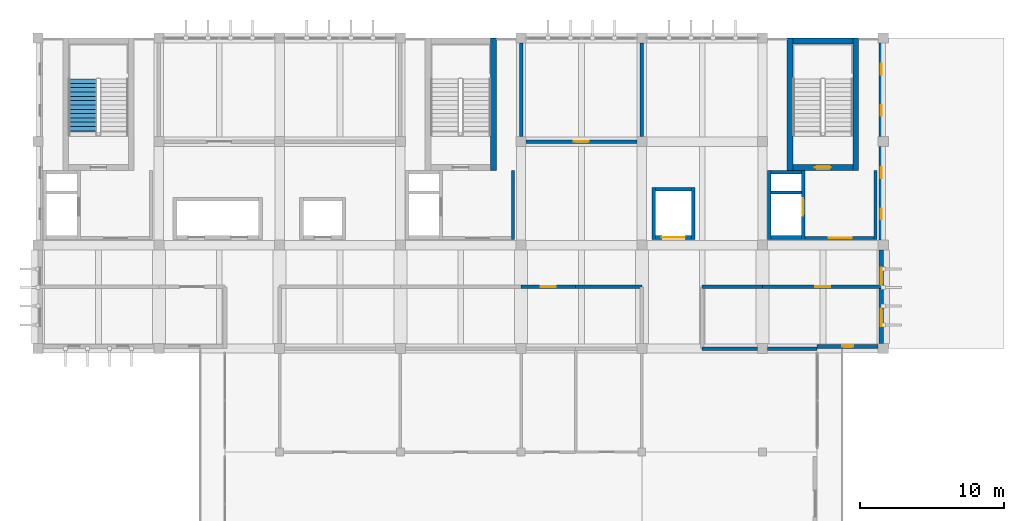
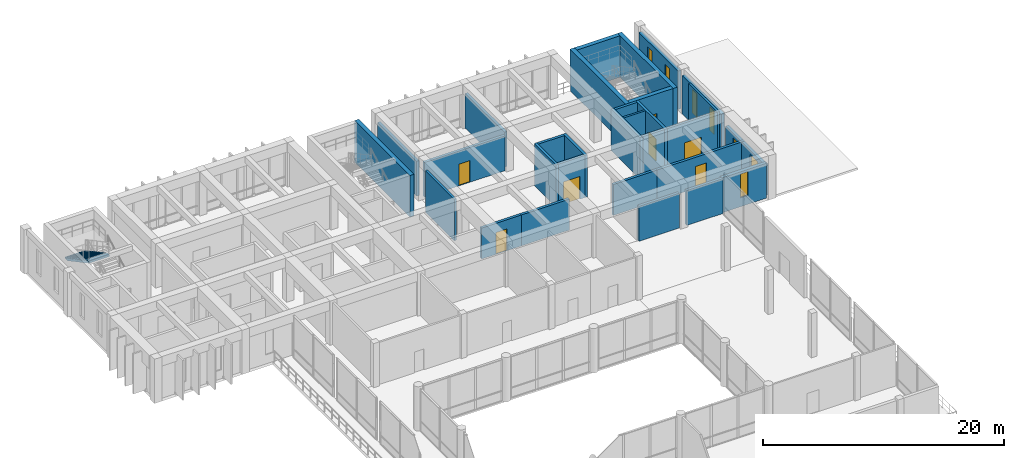
# One storey, part 13 of 17: 30 walls, 7 doors, 7 windows, 1 stair flight, 14 openings, 1 element without a shape of its own.
"""IFC4 building model written with IfcOpenShell, lengths in metres."""

from ifc_helpers import new_model, si_unit, direction, frame, frame_2d, origin, place, context, subcontext, project, spatial, polyline, rectangle, outline, extrude, material, layer, layer_set, type_object, element, fill, aggregate, save


model = new_model("IFC4")

# Units and contexts
model_context = context("Model", 3, precision=1e-05, world=origin(), true_north=direction((0.0, 1.0)))
body_context = subcontext(model_context, "Body", "Model", "MODEL_VIEW")
ifc_project = project(units=[si_unit("LENGTHUNIT", "METRE"), si_unit("AREAUNIT", "SQUARE_METRE"), si_unit("VOLUMEUNIT", "CUBIC_METRE"), si_unit("PLANEANGLEUNIT", "RADIAN"), si_unit("MASSUNIT", "GRAM", prefix="KILO")], contexts=[model_context])

# Site, building, storey
site_placement = place(None, origin())
site = spatial("IfcSite", under=ifc_project, at=site_placement, CompositionType="ELEMENT")
building_placement = place(site_placement, origin())
building = spatial("IfcBuilding", under=site, at=building_placement, Name="Kenerak Square Central Library", CompositionType="ELEMENT")
storey_placement = place(building_placement, frame((0.0, 0.0, 23.360107421875)))
storey = spatial("IfcBuildingStorey", under=building, at=storey_placement, Name="L05", CompositionType="ELEMENT", Elevation=23.360107421875)

# Wall, opening, door
ifc_material_1 = material(Name="Concrete C40/50", Category="concrete")
ifc_layer_1 = layer(ifc_material_1, 0.25)
ifc_layer_set_1 = layer_set([ifc_layer_1], Name="Concrete C40/50")
wall_type_1 = type_object("IfcWallType", Name="Archive Compartment Wall IW-250 C40/50", PredefinedType="SOLIDWALL", material=ifc_layer_set_1)
wall_1_placement = place(storey_placement, frame((92.0, 93.10009765625, 0.0), z_axis=(0.0, 0.0, 1.0), x_axis=(1.0, 0.0, 0.0)))
wall_1 = element("IfcWall", 1, at=wall_1_placement, inside=storey, type_object=wall_type_1, Name="Interior Wall IW-L05-05-N2-B3", PredefinedType="SOLIDWALL", context=body_context, shape_type="SweptSolid", body=[
    extrude(rectangle(XDim=3.800048828125, YDim=0.25, at=frame_2d((1.89990234375, 0.0))), origin(), (0.0, 0.0, 1.0), 3.1298828125),
])
opening_1_placement = place(wall_1_placement, frame((1.375, 0.0, 0.0)))
opening_1 = element("IfcOpeningElement", 2, at=opening_1_placement, cuts=wall_1, Name="Opening ID-04", PredefinedType="OPENING", context=body_context, shape_type="SweptSolid", body=[
    extrude(rectangle(XDim=1.050048828125, YDim=2.199951171875, at=frame_2d((0.52490234375, 1.10009765625))), frame((0.0, 0.135009765625, 0.0), z_axis=(0.0, -1.0, 0.0), x_axis=(1.0, 0.0, 0.0)), (0.0, 0.0, 1.0), 0.27001953125),
])
ifc_material_2 = material(Name="Steel S355", Category="steel")
door_type_1 = type_object("IfcDoorType", Name="Conservation Lab Door ID-1050x2200 FD60S", OperationType="NOTDEFINED", PredefinedType="DOOR", material=ifc_material_2)
door_1_placement = place(opening_1_placement, origin())
door_1 = element("IfcDoor", 3, at=door_1_placement, inside=storey, type_object=door_type_1, Name="Manuscript Microclimate Conservation Lab Door", OperationType="SINGLE_SWING_LEFT", OverallHeight=2.199951171875, OverallWidth=1.050048828125, PredefinedType="DOOR", context=body_context, shape_type="SweptSolid", body=[
    extrude(rectangle(XDim=1.050048828125, YDim=2.199951171875, at=frame_2d((0.52490234375, 1.10009765625))), frame((0.0, 0.02490234375, 0.0), z_axis=(0.0, -1.0, 0.0), x_axis=(1.0, 0.0, 0.0)), (0.0, 0.0, 1.0), 0.050048828125),
])
fill(opening_1, door_1)

# Walls
wall_2_placement = place(storey_placement, frame((95.800048828125, 93.10009765625, 0.0), z_axis=(0.0, 0.0, 1.0), x_axis=(1.0, 0.0, 0.0)))
element("IfcWall", 4, at=wall_2_placement, inside=storey, type_object=wall_type_1, Name="Interior Wall IW-L05-05-N2-B4", PredefinedType="SOLIDWALL", context=body_context, shape_type="SweptSolid", body=[
    extrude(rectangle(XDim=4.599853515625, YDim=0.25, at=frame_2d((2.2998046875, 0.0))), origin(), (0.0, 0.0, 1.0), 3.1298828125),
])
wall_3_placement = place(storey_placement, frame((104.60009765625, 93.10009765625, 0.0), z_axis=(0.0, 0.0, 1.0), x_axis=(1.0, 0.0, 0.0)))
element("IfcWall", 5, at=wall_3_placement, inside=storey, type_object=wall_type_1, Name="Interior Wall IW-L05-12-N2-B1", PredefinedType="SOLIDWALL", context=body_context, shape_type="SweptSolid", body=[
    extrude(rectangle(XDim=4.199951171875, YDim=0.25, at=frame_2d((2.10009765625, 0.0))), origin(), (0.0, 0.0, 1.0), 3.1298828125),
])

# Wall, opening, door
wall_4_placement = place(storey_placement, frame((108.800048828125, 93.10009765625, 0.0), z_axis=(0.0, 0.0, 1.0), x_axis=(1.0, 0.0, 0.0)))
wall_4 = element("IfcWall", 6, at=wall_4_placement, inside=storey, type_object=wall_type_1, Name="Interior Wall IW-L05-12-N2-B2", PredefinedType="SOLIDWALL", context=body_context, shape_type="SweptSolid", body=[
    extrude(rectangle(XDim=8.39990234375, YDim=0.25, at=frame_2d((4.199951171875, 0.0))), origin(), (0.0, 0.0, 1.0), 3.1298828125),
])
opening_2_placement = place(wall_4_placement, frame((3.675048828125, 0.0, 0.0)))
opening_2 = element("IfcOpeningElement", 7, at=opening_2_placement, cuts=wall_4, Name="Opening ID-04", PredefinedType="OPENING", context=body_context, shape_type="SweptSolid", body=[
    extrude(rectangle(XDim=1.050048828125, YDim=2.199951171875, at=frame_2d((0.52490234375, 1.10009765625))), frame((0.0, 0.135009765625, 0.0), z_axis=(0.0, -1.0, 0.0), x_axis=(1.0, 0.0, 0.0)), (0.0, 0.0, 1.0), 0.27001953125),
])
door_2_placement = place(opening_2_placement, origin())
door_2 = element("IfcDoor", 8, at=door_2_placement, inside=storey, type_object=door_type_1, Name="Southeast Asian Colonial Periodicals Compact Stack Door", OperationType="SINGLE_SWING_RIGHT", OverallHeight=2.199951171875, OverallWidth=1.050048828125, PredefinedType="DOOR", context=body_context, shape_type="SweptSolid", body=[
    extrude(rectangle(XDim=1.050048828125, YDim=2.199951171875, at=frame_2d((0.52490234375, 1.10009765625))), frame((0.0, 0.02490234375, 0.0), z_axis=(0.0, -1.0, 0.0), x_axis=(1.0, 0.0, 0.0)), (0.0, 0.0, 1.0), 0.050048828125),
])
fill(opening_2, door_2)

wall_5_placement = place(storey_placement, frame((100.050048828125, 103.199951171875, 0.0), z_axis=(0.0, 0.0, 1.0), x_axis=(-1.0, 0.0, 0.0)))
wall_5 = element("IfcWall", 9, at=wall_5_placement, inside=storey, type_object=wall_type_1, Name="Interior Wall IW-L05-10-S1-B1", PredefinedType="SOLIDWALL", context=body_context, shape_type="SweptSolid", body=[
    extrude(rectangle(XDim=7.699951171875, YDim=0.25, at=frame_2d((3.85009765625, 0.0))), origin(), (0.0, 0.0, 1.0), 3.52978515625),
])
opening_3_placement = place(wall_5_placement, frame((3.324951171875, 0.0, 0.0)))
opening_3 = element("IfcOpeningElement", 10, at=opening_3_placement, cuts=wall_5, Name="Opening ID-04", PredefinedType="OPENING", context=body_context, shape_type="SweptSolid", body=[
    extrude(rectangle(XDim=1.050048828125, YDim=2.199951171875, at=frame_2d((0.52490234375, 1.10009765625))), frame((0.0, 0.135009765625, 0.0), z_axis=(0.0, -1.0, 0.0), x_axis=(1.0, 0.0, 0.0)), (0.0, 0.0, 1.0), 0.27001953125),
])
door_3_placement = place(opening_3_placement, origin())
door_3 = element("IfcDoor", 11, at=door_3_placement, inside=storey, type_object=door_type_1, Name="Oral Tradition Audio-Visual Archive Vault Door", OperationType="SINGLE_SWING_RIGHT", OverallHeight=2.199951171875, OverallWidth=1.050048828125, PredefinedType="DOOR", context=body_context, shape_type="SweptSolid", body=[
    extrude(rectangle(XDim=1.050048828125, YDim=2.199951171875, at=frame_2d((0.52490234375, 1.10009765625))), frame((0.0, 0.02490234375, 0.0), z_axis=(0.0, -1.0, 0.0), x_axis=(1.0, 0.0, 0.0)), (0.0, 0.0, 1.0), 0.050048828125),
])
fill(opening_3, door_3)

# Walls
wall_6_placement = place(storey_placement, frame((112.60009765625, 88.800048828125, 0.0), z_axis=(0.0, 0.0, 1.0), x_axis=(-1.0, 0.0, 0.0)))
element("IfcWall", 12, at=wall_6_placement, inside=storey, type_object=wall_type_1, Name="Interior Wall IW-L05-12-S1-B2", PredefinedType="SOLIDWALL", context=body_context, shape_type="SweptSolid", body=[
    extrude(rectangle(XDim=3.4501953125, YDim=0.25, at=frame_2d((1.72509765625, 0.0))), origin(), (0.0, 0.0, 1.0), 3.52978515625),
])
wall_7_placement = place(storey_placement, frame((108.449951171875, 88.800048828125, 0.0), z_axis=(0.0, 0.0, 1.0), x_axis=(-1.0, 0.0, 0.0)))
element("IfcWall", 13, at=wall_7_placement, inside=storey, type_object=wall_type_1, Name="Interior Wall IW-L05-12-S1-B3", PredefinedType="SOLIDWALL", context=body_context, shape_type="SweptSolid", body=[
    extrude(rectangle(XDim=3.849853515625, YDim=0.25, at=frame_2d((1.9248046875, 0.0))), origin(), (0.0, 0.0, 1.0), 3.52978515625),
])
for number, where, z_axis, x_axis, name in (
    (14, (92.0, 103.550048828125, 0.0), (0.0, 0.0, 1.0), (0.0, 1.0, 0.0), "Interior Wall IW-L05-10-W3-B1"),
    (15, (100.39990234375, 110.050048828125, 0.0), (0.0, 0.0, 1.0), (0.0, -1.0, 0.0), "Interior Wall IW-L05-10-E4-B1"),
):
    element("IfcWall", number, at=place(storey_placement, frame(where, z_axis=z_axis, x_axis=x_axis)), inside=storey, type_object=wall_type_1, Name=name, PredefinedType="SOLIDWALL", context=body_context, shape_type="SweptSolid", body=[
        extrude(rectangle(XDim=6.5, YDim=0.25, at=frame_2d((3.25, 0.0))), origin(), (0.0, 0.0, 1.0), 3.52978515625),
    ])

# Wall, openings, windows
ifc_layer_2 = layer(ifc_material_1, 0.300048828125)
ifc_layer_set_2 = layer_set([ifc_layer_2], Name="Concrete C40/50")
wall_type_2 = type_object("IfcWallType", Name="Board-Marked Brutalist Facade Wall EW-300 C40/50", PredefinedType="SOLIDWALL", material=ifc_layer_set_2)
wall_8_placement = place(storey_placement, frame((117.050048828125, 110.050048828125, 0.0), z_axis=(0.0, 0.0, 1.0), x_axis=(0.0, -1.0, 0.0)))
wall_8 = element("IfcWall", 16, at=wall_8_placement, inside=storey, type_object=wall_type_2, Name="Exterior Facade Wall L05 0253", PredefinedType="SOLIDWALL", context=body_context, shape_type="SweptSolid", body=[
    extrude(rectangle(XDim=6.5, YDim=0.300048828125, at=frame_2d((3.25, 0.0))), origin(), (0.0, 0.0, 1.0), 3.8798828125),
])
opening_4_placement = place(wall_8_placement, frame((1.445068359375, 0.0, 0.89990234375)))
opening_4 = element("IfcOpeningElement", 17, at=opening_4_placement, cuts=wall_8, Name="Opening W-02", PredefinedType="OPENING", context=body_context, shape_type="SweptSolid", body=[
    extrude(rectangle(XDim=0.75, YDim=2.39990234375, at=frame_2d((0.375, 1.199951171875))), frame((0.0, 0.159912109375, 0.0), z_axis=(0.0, -1.0, 0.0), x_axis=(1.0, 0.0, 0.0)), (0.0, 0.0, 1.0), 0.320068359375),
])
opening_5_placement = place(wall_8_placement, frame((4.304931640625, 0.0, 0.89990234375)))
opening_5 = element("IfcOpeningElement", 18, at=opening_5_placement, cuts=wall_8, Name="Opening W-02", PredefinedType="OPENING", context=body_context, shape_type="SweptSolid", body=[
    extrude(rectangle(XDim=0.75, YDim=2.39990234375, at=frame_2d((0.375, 1.199951171875))), frame((0.0, 0.159912109375, 0.0), z_axis=(0.0, -1.0, 0.0), x_axis=(1.0, 0.0, 0.0)), (0.0, 0.0, 1.0), 0.320068359375),
])
ifc_material_3 = material(Name="Solar-control low-E laminated double glazing", Category="glass")
window_type_1 = type_object("IfcWindowType", Name="Archive Narrow Slot Window W-02 750x2400", PartitioningType="SINGLE_PANEL", PredefinedType="WINDOW", material=ifc_material_3)
window_1_placement = place(opening_4_placement, origin())
window_1 = element("IfcWindow", 19, at=window_1_placement, inside=storey, type_object=window_type_1, Name="Window W-02 L05 0283", OverallHeight=2.39990234375, OverallWidth=0.75, PartitioningType="SINGLE_PANEL", PredefinedType="WINDOW", context=body_context, shape_type="SweptSolid", body=[
    extrude(rectangle(XDim=0.75, YDim=2.39990234375, at=frame_2d((0.375, 1.199951171875))), frame((0.0, 0.030029296875, 0.0), z_axis=(0.0, -1.0, 0.0), x_axis=(1.0, 0.0, 0.0)), (0.0, 0.0, 1.0), 0.06005859375),
])
fill(opening_4, window_1)
window_2_placement = place(opening_5_placement, origin())
window_2 = element("IfcWindow", 20, at=window_2_placement, inside=storey, type_object=window_type_1, Name="Window W-02 L05 0284", OverallHeight=2.39990234375, OverallWidth=0.75, PartitioningType="SINGLE_PANEL", PredefinedType="WINDOW", context=body_context, shape_type="SweptSolid", body=[
    extrude(rectangle(XDim=0.75, YDim=2.39990234375, at=frame_2d((0.375, 1.199951171875))), frame((0.0, 0.030029296875, 0.0), z_axis=(0.0, -1.0, 0.0), x_axis=(1.0, 0.0, 0.0)), (0.0, 0.0, 1.0), 0.06005859375),
])
fill(opening_5, window_2)

wall_9_placement = place(storey_placement, frame((117.050048828125, 102.85009765625, 0.0), z_axis=(0.0, 0.0, 1.0), x_axis=(0.0, -1.0, 0.0)))
wall_9 = element("IfcWall", 21, at=wall_9_placement, inside=storey, type_object=wall_type_2, Name="Exterior Facade Wall L05 0254", PredefinedType="SOLIDWALL", context=body_context, shape_type="SweptSolid", body=[
    extrude(rectangle(XDim=6.5, YDim=0.300048828125, at=frame_2d((3.25, 0.0))), origin(), (0.0, 0.0, 1.0), 3.8798828125),
])
opening_6_placement = place(wall_9_placement, frame((1.445068359375, 0.0, 0.89990234375)))
opening_6 = element("IfcOpeningElement", 22, at=opening_6_placement, cuts=wall_9, Name="Opening W-02", PredefinedType="OPENING", context=body_context, shape_type="SweptSolid", body=[
    extrude(rectangle(XDim=0.75, YDim=2.39990234375, at=frame_2d((0.375, 1.199951171875))), frame((0.0, 0.159912109375, 0.0), z_axis=(0.0, -1.0, 0.0), x_axis=(1.0, 0.0, 0.0)), (0.0, 0.0, 1.0), 0.320068359375),
])
opening_7_placement = place(wall_9_placement, frame((4.304931640625, 0.0, 0.89990234375)))
opening_7 = element("IfcOpeningElement", 23, at=opening_7_placement, cuts=wall_9, Name="Opening W-02", PredefinedType="OPENING", context=body_context, shape_type="SweptSolid", body=[
    extrude(rectangle(XDim=0.75, YDim=2.39990234375, at=frame_2d((0.375, 1.199951171875))), frame((0.0, 0.159912109375, 0.0), z_axis=(0.0, -1.0, 0.0), x_axis=(1.0, 0.0, 0.0)), (0.0, 0.0, 1.0), 0.320068359375),
])
window_3_placement = place(opening_6_placement, origin())
window_3 = element("IfcWindow", 24, at=window_3_placement, inside=storey, type_object=window_type_1, Name="Window W-02 L05 0285", OverallHeight=2.39990234375, OverallWidth=0.75, PartitioningType="SINGLE_PANEL", PredefinedType="WINDOW", context=body_context, shape_type="SweptSolid", body=[
    extrude(rectangle(XDim=0.75, YDim=2.39990234375, at=frame_2d((0.375, 1.199951171875))), frame((0.0, 0.030029296875, 0.0), z_axis=(0.0, -1.0, 0.0), x_axis=(1.0, 0.0, 0.0)), (0.0, 0.0, 1.0), 0.06005859375),
])
fill(opening_6, window_3)
window_4_placement = place(opening_7_placement, origin())
window_4 = element("IfcWindow", 25, at=window_4_placement, inside=storey, type_object=window_type_1, Name="Window W-02 L05 0286", OverallHeight=2.39990234375, OverallWidth=0.75, PartitioningType="SINGLE_PANEL", PredefinedType="WINDOW", context=body_context, shape_type="SweptSolid", body=[
    extrude(rectangle(XDim=0.75, YDim=2.39990234375, at=frame_2d((0.375, 1.199951171875))), frame((0.0, 0.030029296875, 0.0), z_axis=(0.0, -1.0, 0.0), x_axis=(1.0, 0.0, 0.0)), (0.0, 0.0, 1.0), 0.06005859375),
])
fill(opening_7, window_4)

wall_10_placement = place(storey_placement, frame((117.050048828125, 95.64990234375, 0.0), z_axis=(0.0, 0.0, 1.0), x_axis=(0.0, -1.0, 0.0)))
wall_10 = element("IfcWall", 26, at=wall_10_placement, inside=storey, type_object=wall_type_2, Name="Exterior Facade Wall L05 0255", PredefinedType="SOLIDWALL", context=body_context, shape_type="SweptSolid", body=[
    extrude(rectangle(XDim=6.5, YDim=0.300048828125, at=frame_2d((3.25, 0.0))), origin(), (0.0, 0.0, 1.0), 3.1298828125),
])
opening_8_placement = place(wall_10_placement, frame((1.219970703125, 0.0, 0.89990234375)))
opening_8 = element("IfcOpeningElement", 27, at=opening_8_placement, cuts=wall_10, Name="Opening W-04", PredefinedType="OPENING", context=body_context, shape_type="SweptSolid", body=[
    extrude(rectangle(XDim=1.199951171875, YDim=1.800048828125, at=frame_2d((0.60009765625, 0.89990234375))), frame((0.0, 0.159912109375, 0.0), z_axis=(0.0, -1.0, 0.0), x_axis=(1.0, 0.0, 0.0)), (0.0, 0.0, 1.0), 0.320068359375),
])
opening_9_placement = place(wall_10_placement, frame((4.080078125, 0.0, 0.89990234375)))
opening_9 = element("IfcOpeningElement", 28, at=opening_9_placement, cuts=wall_10, Name="Opening W-04", PredefinedType="OPENING", context=body_context, shape_type="SweptSolid", body=[
    extrude(rectangle(XDim=1.199951171875, YDim=1.800048828125, at=frame_2d((0.60009765625, 0.89990234375))), frame((0.0, 0.159912109375, 0.0), z_axis=(0.0, -1.0, 0.0), x_axis=(1.0, 0.0, 0.0)), (0.0, 0.0, 1.0), 0.320068359375),
])
window_type_2 = type_object("IfcWindowType", Name="Staff Workroom Window W-04 1200x1800", PartitioningType="SINGLE_PANEL", PredefinedType="WINDOW", material=ifc_material_3)
window_5_placement = place(opening_8_placement, origin())
window_5 = element("IfcWindow", 29, at=window_5_placement, inside=storey, type_object=window_type_2, Name="Window W-04 L05 0287", OverallHeight=1.800048828125, OverallWidth=1.199951171875, PartitioningType="SINGLE_PANEL", PredefinedType="WINDOW", context=body_context, shape_type="SweptSolid", body=[
    extrude(rectangle(XDim=1.199951171875, YDim=1.800048828125, at=frame_2d((0.60009765625, 0.89990234375))), frame((0.0, 0.030029296875, 0.0), z_axis=(0.0, -1.0, 0.0), x_axis=(1.0, 0.0, 0.0)), (0.0, 0.0, 1.0), 0.06005859375),
])
fill(opening_8, window_5)
window_6_placement = place(opening_9_placement, origin())
window_6 = element("IfcWindow", 30, at=window_6_placement, inside=storey, type_object=window_type_2, Name="Window W-04 L05 0288", OverallHeight=1.800048828125, OverallWidth=1.199951171875, PartitioningType="SINGLE_PANEL", PredefinedType="WINDOW", context=body_context, shape_type="SweptSolid", body=[
    extrude(rectangle(XDim=1.199951171875, YDim=1.800048828125, at=frame_2d((0.60009765625, 0.89990234375))), frame((0.0, 0.030029296875, 0.0), z_axis=(0.0, -1.0, 0.0), x_axis=(1.0, 0.0, 0.0)), (0.0, 0.0, 1.0), 0.06005859375),
])
fill(opening_9, window_6)

# Wall, opening, window
wall_11_placement = place(storey_placement, frame((116.85009765625, 88.949951171875, 0.0), z_axis=(0.0, 0.0, 1.0), x_axis=(-1.0, 0.0, 0.0)))
wall_11 = element("IfcWall", 31, at=wall_11_placement, inside=storey, type_object=wall_type_2, Name="Exterior Facade Wall L05 0256", PredefinedType="SOLIDWALL", context=body_context, shape_type="SweptSolid", body=[
    extrude(rectangle(XDim=4.25, YDim=0.300048828125, at=frame_2d((2.125, 0.0))), origin(), (0.0, 0.0, 1.0), 3.52978515625),
])
opening_10_placement = place(wall_11_placement, frame((1.75, 0.0, 0.89990234375)))
opening_10 = element("IfcOpeningElement", 32, at=opening_10_placement, cuts=wall_11, Name="Opening W-02", PredefinedType="OPENING", context=body_context, shape_type="SweptSolid", body=[
    extrude(rectangle(XDim=0.75, YDim=2.39990234375, at=frame_2d((0.375, 1.199951171875))), frame((0.0, 0.159912109375, 0.0), z_axis=(0.0, -1.0, 0.0), x_axis=(1.0, 0.0, 0.0)), (0.0, 0.0, 1.0), 0.320068359375),
])
window_7_placement = place(opening_10_placement, origin())
window_7 = element("IfcWindow", 33, at=window_7_placement, inside=storey, type_object=window_type_1, Name="Window W-02 L05 0289", OverallHeight=2.39990234375, OverallWidth=0.75, PartitioningType="SINGLE_PANEL", PredefinedType="WINDOW", context=body_context, shape_type="SweptSolid", body=[
    extrude(rectangle(XDim=0.75, YDim=2.39990234375, at=frame_2d((0.375, 1.199951171875))), frame((0.0, 0.030029296875, 0.0), z_axis=(0.0, -1.0, 0.0), x_axis=(1.0, 0.0, 0.0)), (0.0, 0.0, 1.0), 0.06005859375),
])
fill(opening_10, window_7)

# Walls
ifc_layer_3 = layer(ifc_material_1, 0.39990234375)
ifc_layer_set_3 = layer_set([ifc_layer_3], Name="Concrete C40/50")
wall_type_3 = type_object("IfcWallType", Name="Core Shear Wall CW-400 C40/50", PredefinedType="SHEAR", material=ifc_layer_set_3)
for number, where, z_axis, x_axis, name in (
    (34, (90.080078125, 110.39990234375, 0.0), (0.0, 0.0, 1.0), (0.0, -1.0, 0.0), "Core Wall CW-C2 L05 East"),
    (35, (110.719970703125, 101.199951171875, 0.0), (0.0, 0.0, 1.0), (0.0, 1.0, 0.0), "Core Wall CW-C3 L05 West"),
    (36, (115.280029296875, 110.39990234375, 0.0), (0.0, 0.0, 1.0), (0.0, -1.0, 0.0), "Core Wall CW-C3 L05 East"),
):
    element("IfcWall", number, at=place(storey_placement, frame(where, z_axis=z_axis, x_axis=x_axis)), inside=storey, type_object=wall_type_3, Name=name, PredefinedType="SHEAR", context=body_context, shape_type="SweptSolid", body=[
        extrude(rectangle(XDim=9.199951171875, YDim=0.39990234375, at=frame_2d((4.60009765625, 0.0))), origin(), (0.0, 0.0, 1.0), 4.204833984375),
    ])

# Wall, opening, door
wall_12_placement = place(storey_placement, frame((115.080078125, 101.39990234375, 0.0), z_axis=(0.0, 0.0, 1.0), x_axis=(-1.0, 0.0, 0.0)))
wall_12 = element("IfcWall", 37, at=wall_12_placement, inside=storey, type_object=wall_type_3, Name="Core Wall CW-C3 L05 South", PredefinedType="SHEAR", context=body_context, shape_type="SweptSolid", body=[
    extrude(rectangle(XDim=4.16015625, YDim=0.39990234375, at=frame_2d((2.080078125, 0.0))), origin(), (0.0, 0.0, 1.0), 4.204833984375),
])
opening_11_placement = place(wall_12_placement, frame((1.530029296875, 0.0, 0.0)))
opening_11 = element("IfcOpeningElement", 38, at=opening_11_placement, cuts=wall_12, Name="Opening D-ST1", PredefinedType="OPENING", context=body_context, shape_type="SweptSolid", body=[
    extrude(rectangle(XDim=1.10009765625, YDim=2.199951171875, at=frame_2d((0.550048828125, 1.10009765625))), frame((0.0, 0.2099609375, 0.0), z_axis=(0.0, -1.0, 0.0), x_axis=(1.0, 0.0, 0.0)), (0.0, 0.0, 1.0), 0.419921875),
])
door_type_2 = type_object("IfcDoorType", Name="Protected Stair Fire Door FD-1100x2200 FD60S", OperationType="NOTDEFINED", PredefinedType="DOOR", material=ifc_material_2)
door_4_placement = place(opening_11_placement, frame((1.10009765625, 0.0, 0.0), z_axis=(0.0, 0.0, 1.0), x_axis=(-1.0, 0.0, 0.0)))
door_4 = element("IfcDoor", 39, at=door_4_placement, inside=storey, type_object=door_type_2, Name="Stair Door ST-03 L05", OperationType="SINGLE_SWING_LEFT", OverallHeight=2.199951171875, OverallWidth=1.10009765625, PredefinedType="DOOR", context=body_context, shape_type="SweptSolid", body=[
    extrude(rectangle(XDim=1.10009765625, YDim=2.199951171875, at=frame_2d((0.550048828125, 1.10009765625))), frame((0.0, 0.02490234375, 0.0), z_axis=(0.0, -1.0, 0.0), x_axis=(1.0, 0.0, 0.0)), (0.0, 0.0, 1.0), 0.050048828125),
])
fill(opening_11, door_4)

# Walls
wall_13_placement = place(storey_placement, frame((110.919921875, 110.199951171875, 0.0), z_axis=(0.0, 0.0, 1.0), x_axis=(1.0, 0.0, 0.0)))
element("IfcWall", 40, at=wall_13_placement, inside=storey, type_object=wall_type_3, Name="Core Wall CW-C3 L05 North", PredefinedType="SHEAR", context=body_context, shape_type="SweptSolid", body=[
    extrude(rectangle(XDim=4.16015625, YDim=0.39990234375, at=frame_2d((2.080078125, 0.0))), origin(), (0.0, 0.0, 1.0), 4.204833984375),
])
ifc_layer_4 = layer(ifc_material_1, 0.199951171875)
ifc_layer_set_4 = layer_set([ifc_layer_4], Name="Concrete C40/50")
wall_type_4 = type_object("IfcWallType", Name="Lobby Compartment Wall LW-200 C40/50", PredefinedType="SOLIDWALL", material=ifc_layer_set_4)
wall_14_placement = place(storey_placement, frame((91.449951171875, 101.199951171875, 0.0), z_axis=(0.0, 0.0, 1.0), x_axis=(0.0, -1.0, 0.0)))
element("IfcWall", 41, at=wall_14_placement, inside=storey, type_object=wall_type_4, Name="Firefighting Lobby East Wall C2 L05", PredefinedType="SOLIDWALL", context=body_context, shape_type="SweptSolid", body=[
    extrude(rectangle(XDim=4.800048828125, YDim=0.199951171875, at=frame_2d((2.39990234375, 0.0))), origin(), (0.0, 0.0, 1.0), 4.204833984375),
])
wall_15_placement = place(storey_placement, frame((109.39990234375, 99.64990234375, 0.0), z_axis=(0.0, 0.0, 1.0), x_axis=(1.0, 0.0, 0.0)))
element("IfcWall", 42, at=wall_15_placement, inside=storey, type_object=wall_type_4, Name="Riser Divider Wall C3 L05", PredefinedType="SOLIDWALL", context=body_context, shape_type="SweptSolid", body=[
    extrude(rectangle(XDim=2.10009765625, YDim=0.199951171875, at=frame_2d((1.050048828125, 0.0))), origin(), (0.0, 0.0, 1.0), 4.204833984375),
])
wall_16_placement = place(storey_placement, frame((116.64990234375, 101.199951171875, 0.0), z_axis=(0.0, 0.0, 1.0), x_axis=(0.0, -1.0, 0.0)))
element("IfcWall", 43, at=wall_16_placement, inside=storey, type_object=wall_type_4, Name="Firefighting Lobby East Wall C3 L05", PredefinedType="SOLIDWALL", context=body_context, shape_type="SweptSolid", body=[
    extrude(rectangle(XDim=4.800048828125, YDim=0.199951171875, at=frame_2d((2.39990234375, 0.0))), origin(), (0.0, 0.0, 1.0), 4.204833984375),
])

# Wall, opening, door
wall_17_placement = place(storey_placement, frame((116.550048828125, 96.5, 0.0), z_axis=(0.0, 0.0, 1.0), x_axis=(-1.0, 0.0, 0.0)))
wall_17 = element("IfcWall", 44, at=wall_17_placement, inside=storey, type_object=wall_type_4, Name="Firefighting Lobby South Wall C3 L05", PredefinedType="SOLIDWALL", context=body_context, shape_type="SweptSolid", body=[
    extrude(rectangle(XDim=4.800048828125, YDim=0.199951171875, at=frame_2d((2.39990234375, 0.0))), origin(), (0.0, 0.0, 1.0), 4.204833984375),
])
opening_12_placement = place(wall_17_placement, frame((1.550048828125, 0.0, 0.0)))
opening_12 = element("IfcOpeningElement", 45, at=opening_12_placement, cuts=wall_17, Name="Opening D-FFL", PredefinedType="OPENING", context=body_context, shape_type="SweptSolid", body=[
    extrude(rectangle(XDim=1.60009765625, YDim=2.199951171875, at=frame_2d((0.800048828125, 1.10009765625))), frame((0.0, 0.10986328125, 0.0), z_axis=(0.0, -1.0, 0.0), x_axis=(1.0, 0.0, 0.0)), (0.0, 0.0, 1.0), 0.219970703125),
])
door_type_3 = type_object("IfcDoorType", Name="Firefighting Lobby Double Door FD-1600x2200 FD60S", OperationType="NOTDEFINED", PredefinedType="DOOR", material=ifc_material_2)
door_5_placement = place(opening_12_placement, frame((1.60009765625, 0.0, 0.0), z_axis=(0.0, 0.0, 1.0), x_axis=(-1.0, 0.0, 0.0)))
door_5 = element("IfcDoor", 46, at=door_5_placement, inside=storey, type_object=door_type_3, Name="Firefighting Lobby Door C3 L05", OperationType="DOUBLE_DOOR_SINGLE_SWING", OverallHeight=2.199951171875, OverallWidth=1.60009765625, PredefinedType="DOOR", context=body_context, shape_type="SweptSolid", body=[
    extrude(rectangle(XDim=1.60009765625, YDim=2.199951171875, at=frame_2d((0.800048828125, 1.10009765625))), frame((0.0, 0.02490234375, 0.0), z_axis=(0.0, -1.0, 0.0), x_axis=(1.0, 0.0, 0.0)), (0.0, 0.0, 1.0), 0.050048828125),
])
fill(opening_12, door_5)

# Wall
ifc_layer_5 = layer(ifc_material_1, 0.25)
ifc_layer_set_5 = layer_set([ifc_layer_5], Name="Concrete C40/50")
wall_type_5 = type_object("IfcWallType", Name="Shaft Enclosure Wall SW-250 C40/50", PredefinedType="SOLIDWALL", material=ifc_layer_set_5)
wall_18_placement = place(storey_placement, frame((109.27490234375, 96.39990234375, 0.0), z_axis=(0.0, 0.0, 1.0), x_axis=(0.0, 1.0, 0.0)))
element("IfcWall", 47, at=wall_18_placement, inside=storey, type_object=wall_type_5, Name="Core Wall FLW-C3 L05 West", PredefinedType="SOLIDWALL", context=body_context, shape_type="SweptSolid", body=[
    extrude(rectangle(XDim=4.800048828125, YDim=0.25, at=frame_2d((2.39990234375, 0.0))), origin(), (0.0, 0.0, 1.0), 4.204833984375),
])

# Wall, opening, door
wall_19_placement = place(storey_placement, frame((111.625, 101.199951171875, 0.0), z_axis=(0.0, 0.0, 1.0), x_axis=(0.0, -1.0, 0.0)))
wall_19 = element("IfcWall", 48, at=wall_19_placement, inside=storey, type_object=wall_type_5, Name="Core Wall FLW-C3 L05 East", PredefinedType="SOLIDWALL", context=body_context, shape_type="SweptSolid", body=[
    extrude(rectangle(XDim=4.800048828125, YDim=0.25, at=frame_2d((2.39990234375, 0.0))), origin(), (0.0, 0.0, 1.0), 4.204833984375),
])
opening_13_placement = place(wall_19_placement, frame((1.949951171875, 0.0, 0.0)))
opening_13 = element("IfcOpeningElement", 49, at=opening_13_placement, cuts=wall_19, Name="Opening LD-FL", PredefinedType="OPENING", context=body_context, shape_type="SweptSolid", body=[
    extrude(rectangle(XDim=1.199951171875, YDim=2.199951171875, at=frame_2d((0.60009765625, 1.10009765625))), frame((0.0, 0.135009765625, 0.0), z_axis=(0.0, -1.0, 0.0), x_axis=(1.0, 0.0, 0.0)), (0.0, 0.0, 1.0), 0.27001953125),
])
door_type_4 = type_object("IfcDoorType", Name="Firefighting Lift Sliding Landing Door LD-1200x2200 FD120S", OperationType="NOTDEFINED", PredefinedType="DOOR", material=ifc_material_2)
door_6_placement = place(opening_13_placement, origin())
door_6 = element("IfcDoor", 50, at=door_6_placement, inside=storey, type_object=door_type_4, Name="Firefighting Lift Landing Door FL-03 L05", OperationType="SLIDING_TO_LEFT", OverallHeight=2.199951171875, OverallWidth=1.199951171875, PredefinedType="DOOR", context=body_context, shape_type="SweptSolid", body=[
    extrude(rectangle(XDim=1.199951171875, YDim=2.199951171875, at=frame_2d((0.60009765625, 1.10009765625))), frame((0.0, 0.02490234375, 0.0), z_axis=(0.0, -1.0, 0.0), x_axis=(1.0, 0.0, 0.0)), (0.0, 0.0, 1.0), 0.050048828125),
])
fill(opening_13, door_6)

# Walls
for number, where, z_axis, x_axis, name in (
    (51, (111.5, 96.52490234375, 0.0), (0.0, 0.0, 1.0), (-1.0, 0.0, 0.0), "Core Wall FLW-C3 L05 South"),
    (52, (109.39990234375, 101.074951171875, 0.0), (0.0, 0.0, 1.0), (1.0, 0.0, 0.0), "Core Wall FLW-C3 L05 North"),
):
    element("IfcWall", number, at=place(storey_placement, frame(where, z_axis=z_axis, x_axis=x_axis)), inside=storey, type_object=wall_type_5, Name=name, PredefinedType="SOLIDWALL", context=body_context, shape_type="SweptSolid", body=[
        extrude(rectangle(XDim=2.10009765625, YDim=0.25, at=frame_2d((1.050048828125, 0.0))), origin(), (0.0, 0.0, 1.0), 4.204833984375),
    ])
for number, where, z_axis, x_axis, name in (
    (53, (101.22509765625, 96.39990234375, 0.0), (0.0, 0.0, 1.0), (0.0, 1.0, 0.0), "Core Wall GLSHAFT L05 West"),
    (54, (103.97509765625, 100.0, 0.0), (0.0, 0.0, 1.0), (0.0, -1.0, 0.0), "Core Wall GLSHAFT L05 East"),
):
    element("IfcWall", number, at=place(storey_placement, frame(where, z_axis=z_axis, x_axis=x_axis)), inside=storey, type_object=wall_type_5, Name=name, PredefinedType="SOLIDWALL", context=body_context, shape_type="SweptSolid", body=[
        extrude(rectangle(XDim=3.60009765625, YDim=0.25, at=frame_2d((1.800048828125, 0.0))), origin(), (0.0, 0.0, 1.0), 4.2548828125),
    ])

# Wall, opening, door
wall_20_placement = place(storey_placement, frame((103.85009765625, 96.52490234375, 0.0), z_axis=(0.0, 0.0, 1.0), x_axis=(-1.0, 0.0, 0.0)))
wall_20 = element("IfcWall", 55, at=wall_20_placement, inside=storey, type_object=wall_type_5, Name="Core Wall GLSHAFT L05 South", PredefinedType="SOLIDWALL", context=body_context, shape_type="SweptSolid", body=[
    extrude(rectangle(XDim=2.5, YDim=0.25, at=frame_2d((1.25, 0.0))), origin(), (0.0, 0.0, 1.0), 4.2548828125),
])
opening_14_placement = place(wall_20_placement, frame((0.449951171875, 0.0, 0.0)))
opening_14 = element("IfcOpeningElement", 56, at=opening_14_placement, cuts=wall_20, Name="Opening LD-GL", PredefinedType="OPENING", context=body_context, shape_type="SweptSolid", body=[
    extrude(rectangle(XDim=1.60009765625, YDim=2.300048828125, at=frame_2d((0.800048828125, 1.14990234375))), frame((0.0, 0.135009765625, 0.0), z_axis=(0.0, -1.0, 0.0), x_axis=(1.0, 0.0, 0.0)), (0.0, 0.0, 1.0), 0.27001953125),
])
door_type_5 = type_object("IfcDoorType", Name="Goods Lift Sliding Landing Door LD-1600x2300 FD120S", OperationType="NOTDEFINED", PredefinedType="DOOR", material=ifc_material_2)
door_7_placement = place(opening_14_placement, origin())
door_7 = element("IfcDoor", 57, at=door_7_placement, inside=storey, type_object=door_type_5, Name="Goods Lift Landing Door GL-01 L05", OperationType="SLIDING_TO_LEFT", OverallHeight=2.300048828125, OverallWidth=1.60009765625, PredefinedType="DOOR", context=body_context, shape_type="SweptSolid", body=[
    extrude(rectangle(XDim=1.60009765625, YDim=2.300048828125, at=frame_2d((0.800048828125, 1.14990234375))), frame((0.0, 0.02490234375, 0.0), z_axis=(0.0, -1.0, 0.0), x_axis=(1.0, 0.0, 0.0)), (0.0, 0.0, 1.0), 0.050048828125),
])
fill(opening_14, door_7)

# Wall
wall_21_placement = place(storey_placement, frame((101.35009765625, 99.875, 0.0), z_axis=(0.0, 0.0, 1.0), x_axis=(1.0, 0.0, 0.0)))
element("IfcWall", 58, at=wall_21_placement, inside=storey, type_object=wall_type_5, Name="Core Wall GLSHAFT L05 North", PredefinedType="SOLIDWALL", context=body_context, shape_type="SweptSolid", body=[
    extrude(rectangle(XDim=2.5, YDim=0.25, at=frame_2d((1.25, 0.0))), origin(), (0.0, 0.0, 1.0), 4.2548828125),
])

# Stair, stair flight
stair_type = type_object("IfcStairType", Name="Exit Dogleg Stair ST-448 C40/50", PredefinedType="HALF_TURN_STAIR", material=ifc_material_1)
stair_placement = place(storey_placement, origin())
stair = element("IfcStair", 59, at=stair_placement, inside=storey, type_object=stair_type, Name="L05 Protected Exit Stair ST-01", PredefinedType="HALF_TURN_STAIR")
stair_flight_type = type_object("IfcStairFlightType", Name="Exit Stair Flight FL-14 C40/50", PredefinedType="STRAIGHT", material=ifc_material_1)
stair_flight_placement = place(storey_placement, frame((61.510009765625, 107.550048828125, 2.239990234375), z_axis=(0.0, 0.0, 1.0), x_axis=(0.0, -1.0, 0.0)))
stair_flight = element("IfcStairFlight", 60, at=stair_flight_placement, type_object=stair_flight_type, Name="ST-01 Flight 2", NumberOfRisers=14, NumberOfTreads=13, PredefinedType="STRAIGHT", RiserHeight=0.16, TreadLength=0.3, context=body_context, shape_type="SweptSolid", body=[
    extrude(outline(polyline([(0.0, 0.0), (0.0, 0.159912109375), (0.300048828125, 0.159912109375), (0.300048828125, 0.320068359375), (0.60009765625, 0.320068359375), (0.60009765625, 0.47998046875), (0.89990234375, 0.47998046875), (0.89990234375, 0.639892578125), (1.199951171875, 0.639892578125), (1.199951171875, 0.800048828125), (1.5, 0.800048828125), (1.5, 0.9599609375), (1.800048828125, 0.9599609375), (1.800048828125, 1.1201171875), (2.10009765625, 1.1201171875), (2.10009765625, 1.280029296875), (2.39990234375, 1.280029296875), (2.39990234375, 1.43994140625), (2.699951171875, 1.43994140625), (2.699951171875, 1.60009765625), (3.0, 1.60009765625), (3.0, 1.760009765625), (3.300048828125, 1.760009765625), (3.300048828125, 1.919921875), (3.60009765625, 1.919921875), (3.60009765625, 2.080078125), (3.89990234375, 2.080078125), (3.89990234375, 2.239990234375), (3.89990234375, 1.8759765625), (0.38232421875, 0.0), (0.0, 0.0)])), frame((0.0, 0.989990234375, 0.0), z_axis=(0.0, -1.0, 0.0), x_axis=(1.0, 0.0, 0.0)), (0.0, 0.0, 1.0), 1.97998046875),
])
aggregate(stair, [stair_flight])

save(model, "model.ifc")
